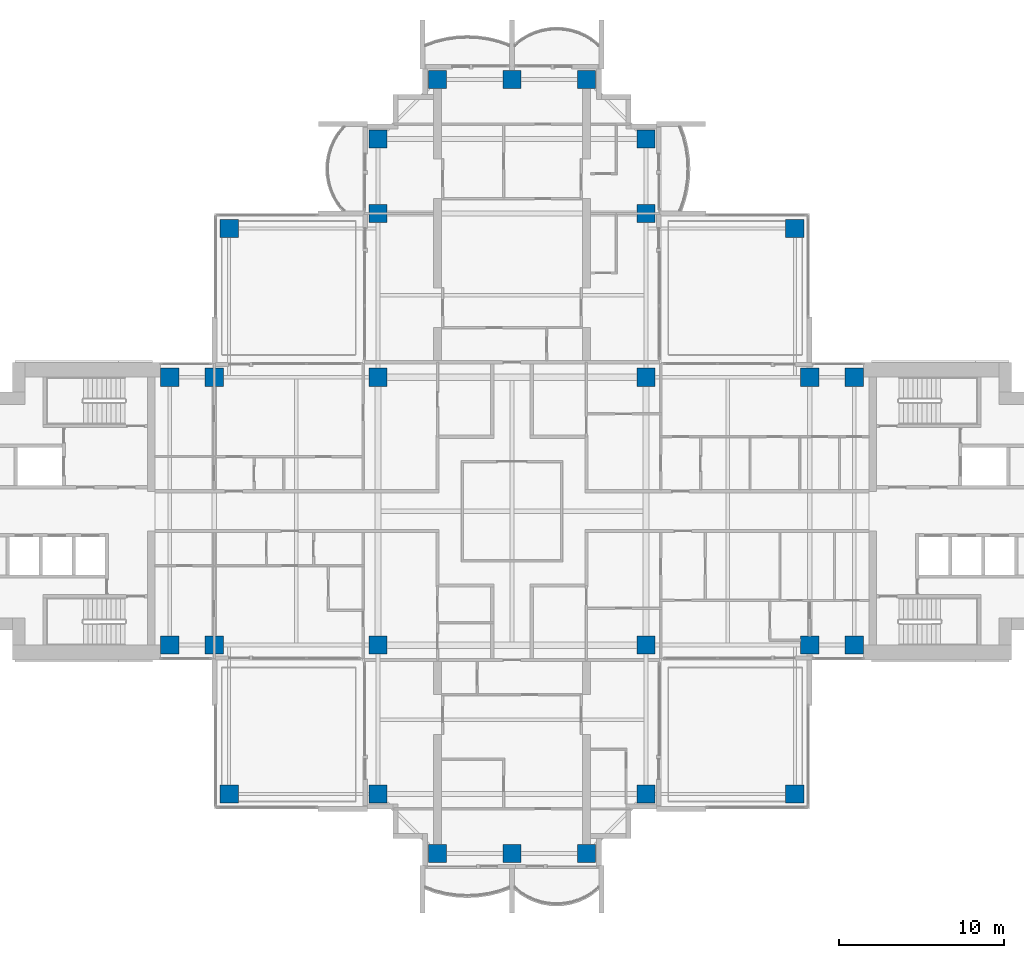
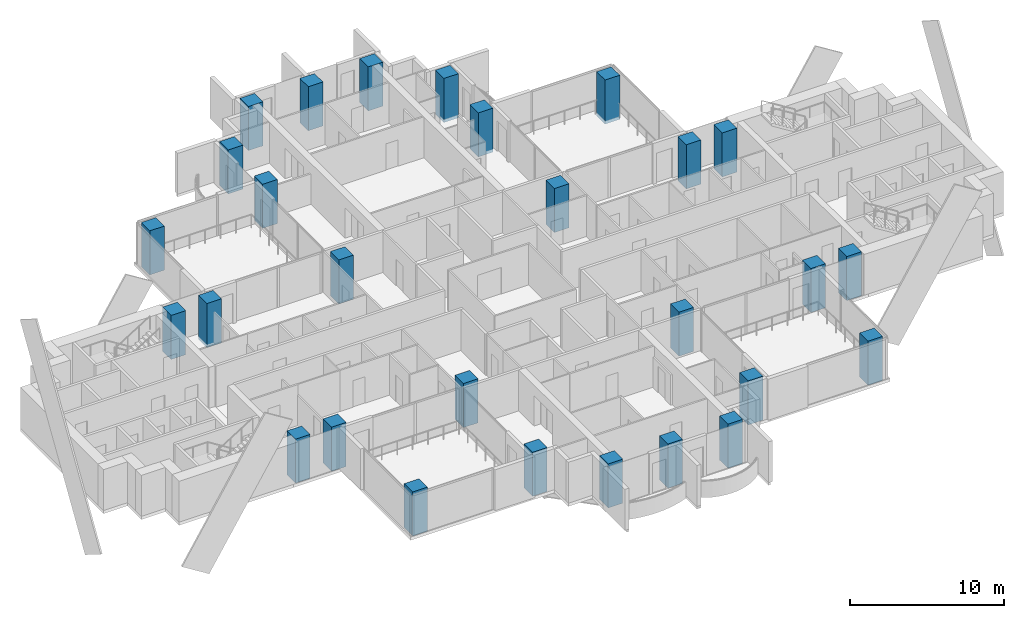
# One storey, part 1 of 19: 28 columns.
"""IFC4 building model written with IfcOpenShell, lengths in metres."""

from ifc_helpers import new_model, si_unit, direction, frame, origin, origin_2d, place, context, subcontext, project, spatial, rectangle, extrude, material, material_profile, profile_set, type_object, element, save


model = new_model("IFC4")

# Units and contexts
model_context = context("Model", 3, precision=1e-05, world=origin(), true_north=direction((0.0, 1.0)))
body_context = subcontext(model_context, "Body", "Model", "MODEL_VIEW")
ifc_project = project(units=[si_unit("LENGTHUNIT", "METRE"), si_unit("AREAUNIT", "SQUARE_METRE"), si_unit("VOLUMEUNIT", "CUBIC_METRE"), si_unit("PLANEANGLEUNIT", "RADIAN"), si_unit("MASSUNIT", "GRAM", prefix="KILO")], contexts=[model_context])

# Site, building, storey
site_placement = place(None, origin())
site = spatial("IfcSite", under=ifc_project, at=site_placement, CompositionType="ELEMENT")
building_placement = place(site_placement, origin())
building = spatial("IfcBuilding", under=site, at=building_placement, Name="Perihelion Cross Residences", CompositionType="ELEMENT")
storey_placement = place(building_placement, frame((0.0, 0.0, 116.39990234375)))
storey = spatial("IfcBuildingStorey", under=building, at=storey_placement, Name="L27", CompositionType="ELEMENT", Elevation=116.39990234375)

# Columns
ifc_material = material(Name="Concrete C60/75", Category="concrete")
ifc_material_profile = material_profile(ifc_material, rectangle(XDim=1.10009765625, YDim=1.10009765625, at=origin_2d()), Name="RC 1100x1100")
ifc_profile_set = profile_set([ifc_material_profile], Name="Concrete C60/75")
column_type = type_object("IfcColumnType", Name="Reinforced concrete column 1100x1100 C60/75", PredefinedType="COLUMN", material=ifc_profile_set)
for number, where, z_axis, x_axis, name in (
    (1, (-20.699951171875, -8.10009765625, -0.25), (0.0, 0.0, 1.0), (1.0, 0.0, 0.0), "Column C017 L27 no. 1"),
    (2, (-20.699951171875, 8.10009765625, -0.25), (0.0, 0.0, 1.0), (1.0, 0.0, 0.0), "Column C010 L27 no. 1"),
    (3, (-18.0, -8.10009765625, -0.25), (0.0, 0.0, 1.0), (1.0, 0.0, 0.0), "Column C018 L27 no. 1"),
    (4, (-18.0, 8.10009765625, -0.25), (0.0, 0.0, 1.0), (1.0, 0.0, 0.0), "Column C011 L27 no. 1"),
    (5, (-8.10009765625, -17.10009765625, -0.25), (0.0, 0.0, 1.0), (1.0, 0.0, 0.0), "Column C031 L27 no. 1"),
    (6, (-8.10009765625, -8.10009765625, -0.25), (0.0, 0.0, 1.0), (1.0, 0.0, 0.0), "Column C019 L27 no. 1"),
    (7, (-8.10009765625, 8.10009765625, -0.25), (0.0, 0.0, 1.0), (1.0, 0.0, 0.0), "Column C012 L27 no. 1"),
    (8, (-8.10009765625, 18.0, -0.25), (0.0, 0.0, 1.0), (1.0, 0.0, 0.0), "Column C006 L27 no. 1"),
    (9, (-8.10009765625, 22.5, -0.25), (0.0, 0.0, 1.0), (1.0, 0.0, 0.0), "Column C004 L27 no. 1"),
    (10, (-4.5, -20.699951171875, -0.25), (0.0, 0.0, 1.0), (1.0, 0.0, 0.0), "Column C037 L27 no. 1"),
    (11, (-4.5, 26.10009765625, -0.25), (0.0, 0.0, 1.0), (1.0, 0.0, 0.0), "Column C001 L27 no. 1"),
    (12, (0.0, -20.699951171875, -0.25), (0.0, 0.0, 1.0), (1.0, 0.0, 0.0), "Column C038 L27 no. 1"),
    (13, (0.0, 26.10009765625, -0.25), (0.0, 0.0, 1.0), (1.0, 0.0, 0.0), "Column C002 L27 no. 1"),
    (14, (4.5, -20.699951171875, -0.25), (0.0, 0.0, 1.0), (1.0, 0.0, 0.0), "Column C039 L27 no. 1"),
    (15, (4.5, 26.10009765625, -0.25), (0.0, 0.0, 1.0), (1.0, 0.0, 0.0), "Column C003 L27 no. 1"),
    (16, (8.10009765625, -17.10009765625, -0.25), (0.0, 0.0, 1.0), (1.0, 0.0, 0.0), "Column C035 L27 no. 1"),
    (17, (8.10009765625, -8.10009765625, -0.25), (0.0, 0.0, 1.0), (1.0, 0.0, 0.0), "Column C020 L27 no. 1"),
    (18, (8.10009765625, 8.10009765625, -0.25), (0.0, 0.0, 1.0), (1.0, 0.0, 0.0), "Column C014 L27 no. 1"),
    (19, (8.10009765625, 18.0, -0.25), (0.0, 0.0, 1.0), (1.0, 0.0, 0.0), "Column C007 L27 no. 1"),
    (20, (8.10009765625, 22.5, -0.25), (0.0, 0.0, 1.0), (1.0, 0.0, 0.0), "Column C005 L27 no. 1"),
    (21, (18.0, -8.10009765625, -0.25), (0.0, 0.0, 1.0), (1.0, 0.0, 0.0), "Column C021 L27 no. 1"),
    (22, (18.0, 8.10009765625, -0.25), (0.0, 0.0, 1.0), (1.0, 0.0, 0.0), "Column C015 L27 no. 1"),
    (23, (20.699951171875, -8.10009765625, -0.25), (0.0, 0.0, 1.0), (1.0, 0.0, 0.0), "Column C022 L27 no. 1"),
    (24, (20.699951171875, 8.10009765625, -0.25), (0.0, 0.0, 1.0), (1.0, 0.0, 0.0), "Column C016 L27 no. 1"),
    (25, (17.10009765625, 17.10009765625, -0.25), (0.0, 0.0, 1.0), (1.0, 0.0, 0.0), "Column C009 L27 no. 1"),
    (26, (-17.10009765625, 17.10009765625, -0.25), (0.0, 0.0, 1.0), (1.0, 0.0, 0.0), "Column C008 L27 no. 1"),
    (27, (-17.10009765625, -17.10009765625, -0.25), (0.0, 0.0, 1.0), (1.0, 0.0, 0.0), "Column C030 L27 no. 1"),
    (28, (17.10009765625, -17.10009765625, -0.25), (0.0, 0.0, 1.0), (1.0, 0.0, 0.0), "Column C036 L27 no. 1"),
):
    element("IfcColumn", number, at=place(storey_placement, frame(where, z_axis=z_axis, x_axis=x_axis)), inside=storey, type_object=column_type, Name=name, PredefinedType="COLUMN", context=body_context, shape_type="SweptSolid", body=[
        extrude(rectangle(XDim=1.10009765625, YDim=1.10009765625, at=origin_2d()), origin(), (0.0, 0.0, 1.0), 3.5),
    ])

save(model, "model.ifc")
